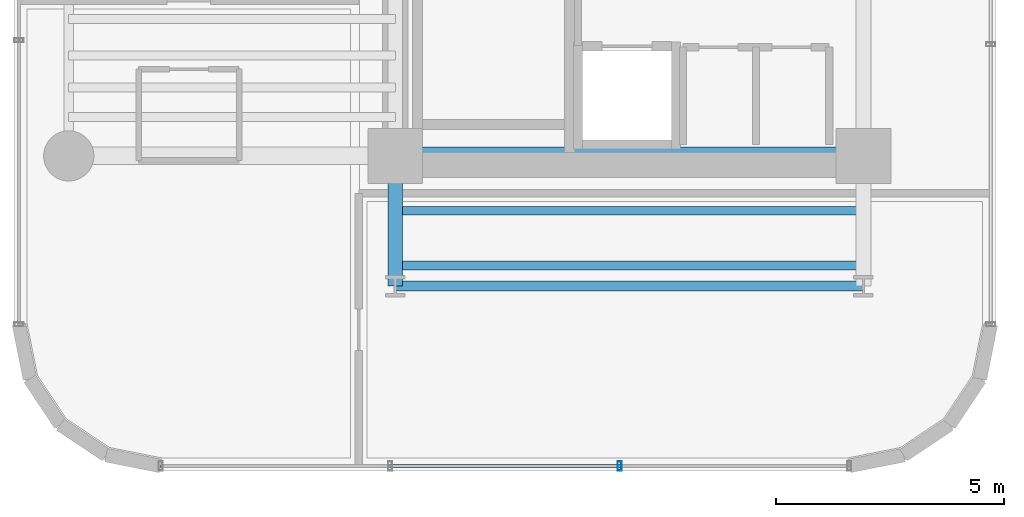
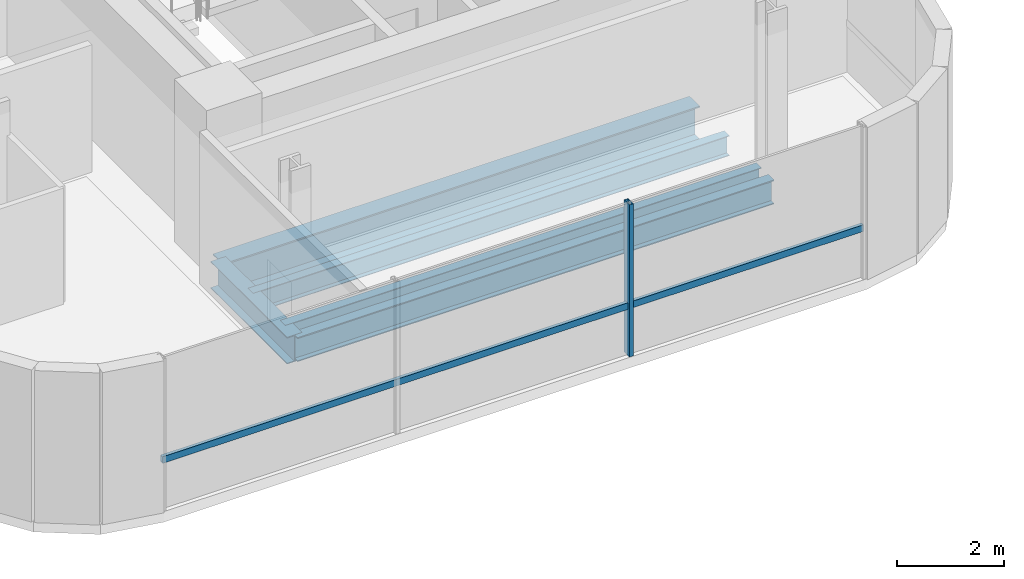
# One storey, part 3 of 36: 5 beams, 2 members, 1 element without a shape of its own.
"""IFC4 building model written with IfcOpenShell, lengths in metres."""

from ifc_helpers import new_model, si_unit, direction, frame, origin, origin_2d, place, context, subcontext, project, spatial, hollow_rectangle, i_section, extrude, source, transform, mapped, material, material_profile, profile_set, type_object, element, aggregate, save


model = new_model("IFC4")

# Units and contexts
model_context = context("Model", 3, precision=1e-05, world=origin(), true_north=direction((0.0, 1.0)))
body_context = subcontext(model_context, "Body", "Model", "MODEL_VIEW")
ifc_project = project(units=[si_unit("LENGTHUNIT", "METRE"), si_unit("AREAUNIT", "SQUARE_METRE"), si_unit("VOLUMEUNIT", "CUBIC_METRE"), si_unit("PLANEANGLEUNIT", "RADIAN"), si_unit("MASSUNIT", "GRAM", prefix="KILO")], contexts=[model_context])

# Site, building, storey
site_placement = place(None, origin())
site = spatial("IfcSite", under=ifc_project, at=site_placement, CompositionType="ELEMENT")
building_placement = place(site_placement, origin())
building = spatial("IfcBuilding", under=site, at=building_placement, Name="Valdorenza Pilgrim Sanctuary Tower", CompositionType="ELEMENT")
storey_placement = place(building_placement, frame((0.0, 0.0, 153.800048828125)))
storey = spatial("IfcBuildingStorey", under=building, at=storey_placement, Name="L39", CompositionType="ELEMENT", Elevation=153.800048828125)

# Beams
ifc_material_1 = material(Name="Steel ASTM A992 Grade 50", Category="steel")
ifc_material_profile_1 = material_profile(ifc_material_1, i_section(OverallWidth=0.214111328125, OverallDepth=0.549072265625, WebThickness=0.0146484375, FlangeThickness=0.023681640625, at=origin_2d()), Name="W21X93")
ifc_profile_set_1 = profile_set([ifc_material_profile_1], Name="Steel ASTM A992 Grade 50")
beam_type_1 = type_object("IfcBeamType", Name="STR-BM-SPN-W21A", PredefinedType="SPANDREL", material=ifc_profile_set_1)
shared_shape_1 = source(origin(), body_context, "Body", "SweptSolid", [
    extrude(i_section(OverallWidth=0.214111328125, OverallDepth=0.549072265625, WebThickness=0.0146484375, FlangeThickness=0.023681640625, at=origin_2d()), origin(), (0.0, 0.0, 1.0), 10.25),
])
beam_1_placement = place(storey_placement, frame((-22.64990234375, -13.449951171875, -0.5146484375), z_axis=(1.0, 0.0, 0.0), x_axis=(0.0, 1.0, 0.0)))
element("IfcBeam", 1, at=beam_1_placement, inside=storey, type_object=beam_type_1, Name="L39 South Spandrel WA-S-TIE", PredefinedType="SPANDREL", context=body_context, shape_type="MappedRepresentation", body=[
    mapped(shared_shape_1, transform((0.0, 0.0, 0.0), x_axis=(1.0, 0.0, 0.0), y_axis=(0.0, 1.0, 0.0), z_axis=(0.0, 0.0, 1.0), scale=1.0)),
])
ifc_material_profile_2 = material_profile(ifc_material_1, i_section(OverallWidth=0.323974609375, OverallDepth=0.611083984375, WebThickness=0.0126953125, FlangeThickness=0.01904296875, at=origin_2d()), Name="W24X104")
ifc_profile_set_2 = profile_set([ifc_material_profile_2], Name="Steel ASTM A992 Grade 50")
beam_type_2 = type_object("IfcBeamType", Name="STR-BM-GRD-W24B", PredefinedType="BEAM", material=ifc_profile_set_2)
shared_shape_2 = source(origin(), body_context, "Body", "SweptSolid", [
    extrude(i_section(OverallWidth=0.323974609375, OverallDepth=0.611083984375, WebThickness=0.0126953125, FlangeThickness=0.01904296875, at=origin_2d()), origin(), (0.0, 0.0, 1.0), 2.849853515625),
])
beam_2_placement = place(storey_placement, frame((-22.64990234375, -13.449951171875, -0.545654296875), z_axis=(0.0, 1.0, 0.0), x_axis=(-1.0, 0.0, 0.0)))
element("IfcBeam", 2, at=beam_2_placement, inside=storey, type_object=beam_type_2, Name="L39 Floor Girder WA-S-LW", PredefinedType="BEAM", context=body_context, shape_type="MappedRepresentation", body=[
    mapped(shared_shape_2, transform((0.0, 0.0, 0.0), x_axis=(1.0, 0.0, 0.0), y_axis=(0.0, 1.0, 0.0), z_axis=(0.0, 0.0, 1.0), scale=1.0)),
])
ifc_material_profile_3 = material_profile(ifc_material_1, i_section(OverallWidth=0.382080078125, OverallDepth=0.779052734375, WebThickness=0.01806640625, FlangeThickness=0.030029296875, at=origin_2d()), Name="W30X191")
ifc_profile_set_3 = profile_set([ifc_material_profile_3], Name="Steel ASTM A992 Grade 50")
beam_type_3 = type_object("IfcBeamType", Name="STR-BM-GRD-W30", PredefinedType="BEAM", material=ifc_profile_set_3)
shared_shape_3 = source(origin(), body_context, "Body", "SweptSolid", [
    extrude(i_section(OverallWidth=0.382080078125, OverallDepth=0.779052734375, WebThickness=0.01806640625, FlangeThickness=0.030029296875, at=origin_2d()), origin(), (0.0, 0.0, 1.0), 10.25),
])
beam_3_placement = place(storey_placement, frame((-22.64990234375, -10.60009765625, -0.629638671875), z_axis=(1.0, 0.0, 0.0), x_axis=(0.0, 1.0, 0.0)))
element("IfcBeam", 3, at=beam_3_placement, inside=storey, type_object=beam_type_3, Name="L39 Floor Girder CA-XC-S1", PredefinedType="BEAM", context=body_context, shape_type="MappedRepresentation", body=[
    mapped(shared_shape_3, transform((0.0, 0.0, 0.0), x_axis=(1.0, 0.0, 0.0), y_axis=(0.0, 1.0, 0.0), z_axis=(0.0, 0.0, 1.0), scale=1.0)),
])
ifc_material_profile_4 = material_profile(ifc_material_1, i_section(OverallWidth=0.19091796875, OverallDepth=0.45703125, WebThickness=0.009033203125, FlangeThickness=0.014404296875, at=origin_2d()), Name="W18X50")
ifc_profile_set_4 = profile_set([ifc_material_profile_4], Name="Steel ASTM A992 Grade 50")
beam_type_4 = type_object("IfcBeamType", Name="STR-BM-JST-W18B", PredefinedType="JOIST", material=ifc_profile_set_4)
shared_shape_4 = source(origin(), body_context, "Body", "SweptSolid", [
    extrude(i_section(OverallWidth=0.19091796875, OverallDepth=0.45703125, WebThickness=0.009033203125, FlangeThickness=0.014404296875, at=origin_2d()), origin(), (0.0, 0.0, 1.0), 10.25),
])
for number, where, z_axis, x_axis, name in (
    (4, (-22.64990234375, -13.0, -0.468505859375), (1.0, 0.0, 0.0), (0.0, 1.0, 0.0), "L39 Composite Floor Joist JST-WAS-1"),
    (5, (-22.64990234375, -11.800048828125, -0.468505859375), (1.0, 0.0, 0.0), (0.0, 1.0, 0.0), "L39 Composite Floor Joist JST-WAS-2"),
):
    element("IfcBeam", number, at=place(storey_placement, frame(where, z_axis=z_axis, x_axis=x_axis)), inside=storey, type_object=beam_type_4, Name=name, PredefinedType="JOIST", context=body_context, shape_type="MappedRepresentation", body=[
        mapped(shared_shape_4, transform((0.0, 0.0, 0.0), x_axis=(1.0, 0.0, 0.0), y_axis=(0.0, 1.0, 0.0), z_axis=(0.0, 0.0, 1.0), scale=1.0)),
    ])

# Curtain wall, members
ifc_material_2 = material(Name="Curtain-wall IGU glazing", Category="glass")
curtain_wall_type = type_object("IfcCurtainWallType", Name="CW-SYS-02", PredefinedType="NOTDEFINED", material=ifc_material_2)
curtain_wall_placement = place(storey_placement, origin())
curtain_wall = element("IfcCurtainWall", 6, at=curtain_wall_placement, inside=storey, type_object=curtain_wall_type, Name="L39 Curtain Wall CW-L39-1-26", PredefinedType="NOTDEFINED")
ifc_material_3 = material(Name="Anodised aluminium AW-6060", Category="aluminium")
ifc_material_profile_5 = material_profile(ifc_material_3, hollow_rectangle(XDim=0.0849609375, YDim=0.199951171875, WallThickness=0.0048828125, at=origin_2d()), Name="ALU-M 200x85x5")
ifc_profile_set_5 = profile_set([ifc_material_profile_5], Name="Anodised aluminium AW-6060")
member_type_1 = type_object("IfcMemberType", Name="CW-MUL-02", PredefinedType="MULLION", material=ifc_profile_set_5)
shared_shape_5 = source(origin(), body_context, "Body", "SweptSolid", [
    extrude(hollow_rectangle(XDim=0.0849609375, YDim=0.199951171875, WallThickness=0.0048828125, at=origin_2d()), origin(), (0.0, 0.0, 1.0), 3.4599609375),
])
member_1_placement = place(storey_placement, frame((-17.73681640625, -17.389892578125, 0.0), z_axis=(0.0, 0.0, 1.0), x_axis=(-1.0, 0.0, 0.0)))
member_1 = element("IfcMember", 7, at=member_1_placement, type_object=member_type_1, Name="CW-L39-1-26 Mullion 2", PredefinedType="MULLION", context=body_context, shape_type="MappedRepresentation", body=[
    mapped(shared_shape_5, transform((0.0, 0.0, 0.0), x_axis=(1.0, 0.0, 0.0), y_axis=(0.0, 1.0, 0.0), z_axis=(0.0, 0.0, 1.0), scale=1.0)),
])
ifc_material_profile_6 = material_profile(ifc_material_3, hollow_rectangle(XDim=0.074951171875, YDim=0.14990234375, WallThickness=0.00390625, at=origin_2d()), Name="ALU-T 150x75x4")
ifc_profile_set_6 = profile_set([ifc_material_profile_6], Name="Anodised aluminium AW-6060")
member_type_2 = type_object("IfcMemberType", Name="CW-TRN-02", PredefinedType="USERDEFINED", material=ifc_profile_set_6)
shared_shape_6 = source(origin(), body_context, "Body", "SweptSolid", [
    extrude(hollow_rectangle(XDim=0.074951171875, YDim=0.14990234375, WallThickness=0.00390625, at=origin_2d()), origin(), (0.0, 0.0, 1.0), 15.07861328125),
])
member_2_placement = place(storey_placement, frame((-12.710693359375, -17.389892578125, 1.119873046875), z_axis=(-1.0, 0.0, 0.0), x_axis=(0.0, -1.0, 0.0)))
member_2 = element("IfcMember", 8, at=member_2_placement, type_object=member_type_2, Name="CW-L39-1-26 Transom 1", ObjectType="TRANSOM", PredefinedType="USERDEFINED", context=body_context, shape_type="MappedRepresentation", body=[
    mapped(shared_shape_6, transform((0.0, 0.0, 0.0), x_axis=(1.0, 0.0, 0.0), y_axis=(0.0, 1.0, 0.0), z_axis=(0.0, 0.0, 1.0), scale=1.0)),
])
aggregate(curtain_wall, [member_1, member_2])

save(model, "model.ifc")
